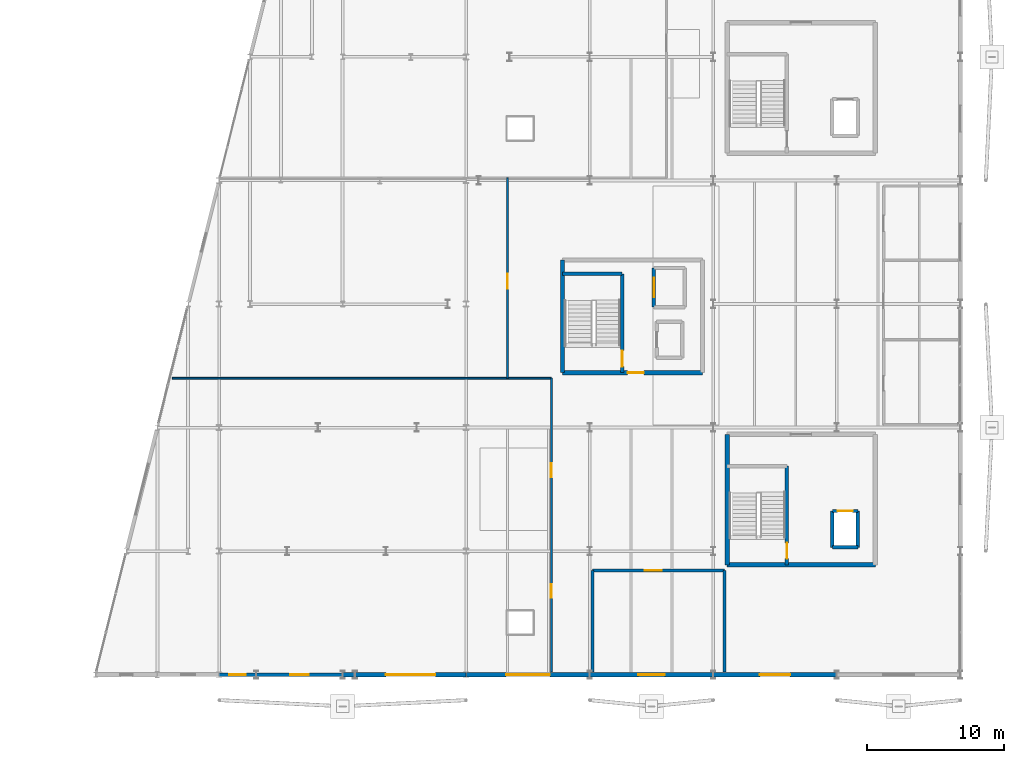
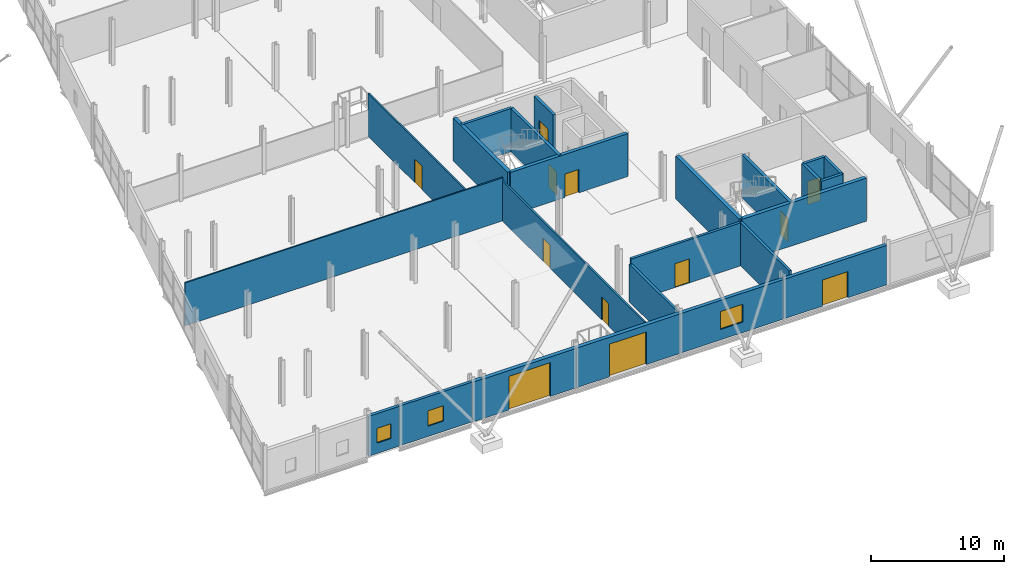
# One storey, part 123 of 140: 25 walls, 12 doors, 3 windows, 15 openings.
"""IFC4 building model written with IfcOpenShell, lengths in metres."""

from ifc_helpers import new_model, si_unit, direction, frame, frame_2d, origin, place, context, subcontext, project, spatial, rectangle, extrude, material, layer, layer_set, type_object, element, fill, save


model = new_model("IFC4")

# Units and contexts
model_context = context("Model", 3, precision=1e-05, world=origin(), true_north=direction((0.0, 1.0)))
body_context = subcontext(model_context, "Body", "Model", "MODEL_VIEW")
ifc_project = project(units=[si_unit("LENGTHUNIT", "METRE"), si_unit("AREAUNIT", "SQUARE_METRE"), si_unit("VOLUMEUNIT", "CUBIC_METRE"), si_unit("PLANEANGLEUNIT", "RADIAN"), si_unit("MASSUNIT", "GRAM", prefix="KILO")], contexts=[model_context])

# Site, building, storey
site_placement = place(None, origin())
site = spatial("IfcSite", under=ifc_project, at=site_placement, CompositionType="ELEMENT")
building_placement = place(site_placement, origin())
building = spatial("IfcBuilding", under=site, at=building_placement, Name="Deido Ridge Mobility Hub", CompositionType="ELEMENT")
storey_placement = place(building_placement, origin())
storey = spatial("IfcBuildingStorey", under=building, at=storey_placement, Name="L00", CompositionType="ELEMENT", Elevation=0.0)

# Wall, opening, window
ifc_material_1 = material(Name="Concrete blockwork masonry", Category="masonry")
ifc_layer_1 = layer(ifc_material_1, 0.2451171875, Name="Concrete blockwork masonry")
ifc_layer_set_1 = layer_set([ifc_layer_1], Name="Concrete blockwork masonry")
wall_type_1 = type_object("IfcWallType", Name="WL-EXT-BLK-245", PredefinedType="STANDARD", material=ifc_layer_set_1)
wall_1_placement = place(storey_placement, frame((128.707763671875, 0.0, 0.0), z_axis=(0.0, 0.0, 1.0), x_axis=(1.0, 0.0, 0.0)))
wall_1 = element("IfcWall", 1, at=wall_1_placement, inside=storey, type_object=wall_type_1, Name="Exterior wall EW4", PredefinedType="STANDARD", context=body_context, shape_type="SweptSolid", body=[
    extrude(rectangle(XDim=6.284423828125, YDim=0.2451171875, at=frame_2d((3.14208984375, 0.0))), origin(), (0.0, 0.0, 1.0), 3.655029296875),
])
opening_1_placement = place(wall_1_placement, frame((2.46728515625, 0.0, 0.949951171875)))
opening_1 = element("IfcOpeningElement", 2, at=opening_1_placement, cuts=wall_1, Name="Opening W4", PredefinedType="OPENING", context=body_context, shape_type="SweptSolid", body=[
    extrude(rectangle(XDim=1.35009765625, YDim=1.39990234375, at=frame_2d((0.675048828125, 0.699951171875))), frame((0.0, 0.132568359375, 0.0), z_axis=(0.0, -1.0, 0.0), x_axis=(1.0, 0.0, 0.0)), (0.0, 0.0, 1.0), 0.26513671875),
])
ifc_material_2 = material(Name="Laminated solar-control low-E glass", Category="glass")
window_type_1 = type_object("IfcWindowType", Name="WN-ALU-1350X1400", PartitioningType="SINGLE_PANEL", PredefinedType="WINDOW", material=ifc_material_2)
window_1_placement = place(opening_1_placement, origin())
window_1 = element("IfcWindow", 3, at=window_1_placement, inside=storey, type_object=window_type_1, Name="Exterior window W4", OverallHeight=1.39990234375, OverallWidth=1.35009765625, PartitioningType="SINGLE_PANEL", PredefinedType="WINDOW", context=body_context, shape_type="SweptSolid", body=[
    extrude(rectangle(XDim=1.35009765625, YDim=1.39990234375, at=frame_2d((0.675048828125, 0.699951171875))), frame((0.0, 0.030029296875, 0.0), z_axis=(0.0, -1.0, 0.0), x_axis=(1.0, 0.0, 0.0)), (0.0, 0.0, 1.0), 0.06005859375),
])
fill(opening_1, window_1)

ifc_layer_2 = layer(ifc_material_1, 0.264892578125, Name="Concrete blockwork masonry")
ifc_layer_set_2 = layer_set([ifc_layer_2], Name="Concrete blockwork masonry")
wall_type_2 = type_object("IfcWallType", Name="WL-EXT-BLK-265", PredefinedType="STANDARD", material=ifc_layer_set_2)
wall_2_placement = place(storey_placement, frame((126.0087890625, 0.0, 0.0), z_axis=(0.0, 0.0, 1.0), x_axis=(1.0, 0.0, 0.0)))
wall_2 = element("IfcWall", 4, at=wall_2_placement, inside=storey, type_object=wall_type_2, Name="Exterior wall EW3", PredefinedType="STANDARD", context=body_context, shape_type="SweptSolid", body=[
    extrude(rectangle(XDim=2.68359375, YDim=0.264892578125, at=frame_2d((1.341796875, 0.0))), origin(), (0.0, 0.0, 1.0), 3.655029296875),
])
opening_2_placement = place(wall_2_placement, frame((0.74169921875, 0.0, 0.949951171875)))
opening_2 = element("IfcOpeningElement", 5, at=opening_2_placement, cuts=wall_2, Name="Opening W3", PredefinedType="OPENING", context=body_context, shape_type="SweptSolid", body=[
    extrude(rectangle(XDim=1.199951171875, YDim=1.35009765625, at=frame_2d((0.60009765625, 0.675048828125))), frame((0.0, 0.142578125, 0.0), z_axis=(0.0, -1.0, 0.0), x_axis=(1.0, 0.0, 0.0)), (0.0, 0.0, 1.0), 0.284912109375),
])
window_type_2 = type_object("IfcWindowType", Name="WN-ALU-1200X1350", PartitioningType="SINGLE_PANEL", PredefinedType="WINDOW", material=ifc_material_2)
window_2_placement = place(opening_2_placement, origin())
window_2 = element("IfcWindow", 6, at=window_2_placement, inside=storey, type_object=window_type_2, Name="Exterior window W3", OverallHeight=1.35009765625, OverallWidth=1.199951171875, PartitioningType="SINGLE_PANEL", PredefinedType="WINDOW", context=body_context, shape_type="SweptSolid", body=[
    extrude(rectangle(XDim=1.199951171875, YDim=1.35009765625, at=frame_2d((0.60009765625, 0.675048828125))), frame((0.0, 0.030029296875, 0.0), z_axis=(0.0, -1.0, 0.0), x_axis=(1.0, 0.0, 0.0)), (0.0, 0.0, 1.0), 0.06005859375),
])
fill(opening_2, window_2)

ifc_material_3 = material(Name="Fired clay brick masonry", Category="masonry")
ifc_layer_3 = layer(ifc_material_3, 0.31005859375, Name="Fired clay brick masonry")
ifc_layer_set_3 = layer_set([ifc_layer_3], Name="Fired clay brick masonry")
wall_type_3 = type_object("IfcWallType", Name="WL-EXT-BRK-310", PredefinedType="STANDARD", material=ifc_layer_set_3)
wall_3_placement = place(storey_placement, frame((153.0078125, 0.0, 0.0), z_axis=(0.0, 0.0, 1.0), x_axis=(1.0, 0.0, 0.0)))
wall_3 = element("IfcWall", 7, at=wall_3_placement, inside=storey, type_object=wall_type_3, Name="Exterior wall EW1", PredefinedType="STANDARD", context=body_context, shape_type="SweptSolid", body=[
    extrude(rectangle(XDim=8.984375, YDim=0.31005859375, at=frame_2d((4.4921875, 0.0))), origin(), (0.0, 0.0, 1.0), 3.625),
])
opening_3_placement = place(wall_3_placement, frame((3.517333984375, 0.0, 0.949951171875)))
opening_3 = element("IfcOpeningElement", 8, at=opening_3_placement, cuts=wall_3, Name="Opening W8", PredefinedType="OPENING", context=body_context, shape_type="SweptSolid", body=[
    extrude(rectangle(XDim=1.949951171875, YDim=1.64990234375, at=frame_2d((0.97509765625, 0.824951171875))), frame((0.0, 0.1650390625, 0.0), z_axis=(0.0, -1.0, 0.0), x_axis=(1.0, 0.0, 0.0)), (0.0, 0.0, 1.0), 0.330078125),
])
window_type_3 = type_object("IfcWindowType", Name="WN-ALU-1950X1650", PartitioningType="DOUBLE_PANEL_VERTICAL", PredefinedType="WINDOW", material=ifc_material_2)
window_3_placement = place(opening_3_placement, origin())
window_3 = element("IfcWindow", 9, at=window_3_placement, inside=storey, type_object=window_type_3, Name="Exterior window W8", OverallHeight=1.64990234375, OverallWidth=1.949951171875, PartitioningType="SINGLE_PANEL", PredefinedType="WINDOW", context=body_context, shape_type="SweptSolid", body=[
    extrude(rectangle(XDim=1.949951171875, YDim=1.64990234375, at=frame_2d((0.97509765625, 0.824951171875))), frame((0.0, 0.030029296875, 0.0), z_axis=(0.0, -1.0, 0.0), x_axis=(1.0, 0.0, 0.0)), (0.0, 0.0, 1.0), 0.06005859375),
])
fill(opening_3, window_3)

# Wall, opening, door
wall_4_placement = place(storey_placement, frame((162.0078125, 0.0, 0.0), z_axis=(0.0, 0.0, 1.0), x_axis=(1.0, 0.0, 0.0)))
wall_4 = element("IfcWall", 10, at=wall_4_placement, inside=storey, type_object=wall_type_3, Name="Exterior wall EW1", PredefinedType="STANDARD", context=body_context, shape_type="SweptSolid", body=[
    extrude(rectangle(XDim=8.984375, YDim=0.31005859375, at=frame_2d((4.4921875, 0.0))), origin(), (0.0, 0.0, 1.0), 3.625),
])
opening_4_placement = place(wall_4_placement, frame((3.392333984375, 0.0, 0.0)))
opening_4 = element("IfcOpeningElement", 11, at=opening_4_placement, cuts=wall_4, Name="Opening E7", PredefinedType="OPENING", context=body_context, shape_type="SweptSolid", body=[
    extrude(rectangle(XDim=2.199951171875, YDim=2.39990234375, at=frame_2d((1.10009765625, 1.199951171875))), frame((0.0, 0.1650390625, 0.0), z_axis=(0.0, -1.0, 0.0), x_axis=(1.0, 0.0, 0.0)), (0.0, 0.0, 1.0), 0.330078125),
])
ifc_material_4 = material(Name="Anodised aluminium EN AW-6063 T6", Category="aluminium")
door_type_1 = type_object("IfcDoorType", Name="DR-EXT-2200X2400", OperationType="DOUBLE_DOOR_SINGLE_SWING", PredefinedType="DOOR", material=ifc_material_4)
door_1_placement = place(opening_4_placement, frame((2.199951171875, 0.0, 0.0), z_axis=(0.0, 0.0, 1.0), x_axis=(-1.0, 0.0, 0.0)))
door_1 = element("IfcDoor", 12, at=door_1_placement, inside=storey, type_object=door_type_1, Name="DR-E0016 Final exit door E7", OperationType="DOUBLE_DOOR_SINGLE_SWING", OverallHeight=2.39990234375, OverallWidth=2.199951171875, PredefinedType="DOOR", context=body_context, shape_type="SweptSolid", body=[
    extrude(rectangle(XDim=2.199951171875, YDim=2.39990234375, at=frame_2d((1.10009765625, 1.199951171875))), frame((0.0, 0.02490234375, 0.0), z_axis=(0.0, -1.0, 0.0), x_axis=(1.0, 0.0, 0.0)), (0.0, 0.0, 1.0), 0.050048828125),
])
fill(opening_4, door_1)

# Wall
ifc_material_5 = material(Name="Concrete C35/45", Category="concrete")
ifc_layer_4 = layer(ifc_material_5, 0.340087890625, Name="Concrete C35/45")
ifc_layer_set_4 = layer_set([ifc_layer_4], Name="Concrete C35/45")
wall_type_4 = type_object("IfcWallType", Name="WL-EXT-RC-340", PredefinedType="STANDARD", material=ifc_layer_set_4)
wall_5_placement = place(storey_placement, frame((135.0078125, 0.0, 0.0), z_axis=(0.0, 0.0, 1.0), x_axis=(1.0, 0.0, 0.0)))
element("IfcWall", 13, at=wall_5_placement, inside=storey, type_object=wall_type_4, Name="Exterior wall EW5", PredefinedType="STANDARD", context=body_context, shape_type="SweptSolid", body=[
    extrude(rectangle(XDim=0.884521484375, YDim=0.340087890625, at=frame_2d((0.4423828125, 0.0))), origin(), (0.0, 0.0, 1.0), 3.655029296875),
])

# Wall, opening, door
wall_6_placement = place(storey_placement, frame((135.90771484375, 0.0, 0.0), z_axis=(0.0, 0.0, 1.0), x_axis=(1.0, 0.0, 0.0)))
wall_6 = element("IfcWall", 14, at=wall_6_placement, inside=storey, type_object=wall_type_4, Name="Exterior wall EW5", PredefinedType="STANDARD", context=body_context, shape_type="SweptSolid", body=[
    extrude(rectangle(XDim=8.08349609375, YDim=0.340087890625, at=frame_2d((4.041748046875, 0.0))), origin(), (0.0, 0.0, 1.0), 3.625),
])
opening_5_placement = place(wall_6_placement, frame((2.24169921875, 0.0, 0.0)))
opening_5 = element("IfcOpeningElement", 15, at=opening_5_placement, cuts=wall_6, Name="Opening WD1", PredefinedType="OPENING", context=body_context, shape_type="SweptSolid", body=[
    extrude(rectangle(XDim=3.60009765625, YDim=3.10009765625, at=frame_2d((1.800048828125, 1.550048828125))), frame((0.0, 0.18017578125, 0.0), z_axis=(0.0, -1.0, 0.0), x_axis=(1.0, 0.0, 0.0)), (0.0, 0.0, 1.0), 0.360107421875),
])
ifc_material_6 = material(Name="Galvanised steel work", Category="steel")
door_type_2 = type_object("IfcDoorType", Name="DR-WKS-3600X3100", OperationType="ROLLINGUP", PredefinedType="USERDEFINED", material=ifc_material_6)
door_2_placement = place(opening_5_placement, frame((3.60009765625, 0.0, 0.0), z_axis=(0.0, 0.0, 1.0), x_axis=(-1.0, 0.0, 0.0)))
door_2 = element("IfcDoor", 16, at=door_2_placement, inside=storey, type_object=door_type_2, Name="DR-E0014 Bus workshop bay shutter WD1", ObjectType="VEHICLE SHUTTER", OperationType="ROLLINGUP", OverallHeight=3.10009765625, OverallWidth=3.60009765625, PredefinedType="USERDEFINED", context=body_context, shape_type="SweptSolid", body=[
    extrude(rectangle(XDim=3.60009765625, YDim=3.10009765625, at=frame_2d((1.800048828125, 1.550048828125))), frame((0.0, 0.02490234375, 0.0), z_axis=(0.0, -1.0, 0.0), x_axis=(1.0, 0.0, 0.0)), (0.0, 0.0, 1.0), 0.050048828125),
])
fill(opening_5, door_2)

wall_7_placement = place(storey_placement, frame((144.0087890625, 0.0, 0.0), z_axis=(0.0, 0.0, 1.0), x_axis=(1.0, 0.0, 0.0)))
wall_7 = element("IfcWall", 17, at=wall_7_placement, inside=storey, type_object=wall_type_4, Name="Exterior wall EW5", PredefinedType="STANDARD", context=body_context, shape_type="SweptSolid", body=[
    extrude(rectangle(XDim=8.9833984375, YDim=0.340087890625, at=frame_2d((4.49169921875, 0.0))), origin(), (0.0, 0.0, 1.0), 3.625),
])
opening_6_placement = place(wall_7_placement, frame((2.891845703125, 0.0, 0.0)))
opening_6 = element("IfcOpeningElement", 18, at=opening_6_placement, cuts=wall_7, Name="Opening WD2", PredefinedType="OPENING", context=body_context, shape_type="SweptSolid", body=[
    extrude(rectangle(XDim=3.199951171875, YDim=3.0, at=frame_2d((1.60009765625, 1.5))), frame((0.0, 0.18017578125, 0.0), z_axis=(0.0, -1.0, 0.0), x_axis=(1.0, 0.0, 0.0)), (0.0, 0.0, 1.0), 0.360107421875),
])
door_type_3 = type_object("IfcDoorType", Name="DR-WKS-3200X3000", OperationType="ROLLINGUP", PredefinedType="USERDEFINED", material=ifc_material_6)
door_3_placement = place(opening_6_placement, frame((3.199951171875, 0.0, 0.0), z_axis=(0.0, 0.0, 1.0), x_axis=(-1.0, 0.0, 0.0)))
door_3 = element("IfcDoor", 19, at=door_3_placement, inside=storey, type_object=door_type_3, Name="DR-E0015 Diagnostic pit bay shutter WD2", ObjectType="VEHICLE SHUTTER", OperationType="ROLLINGUP", OverallHeight=3.0, OverallWidth=3.199951171875, PredefinedType="USERDEFINED", context=body_context, shape_type="SweptSolid", body=[
    extrude(rectangle(XDim=3.199951171875, YDim=3.0, at=frame_2d((1.60009765625, 1.5))), frame((0.0, 0.02490234375, 0.0), z_axis=(0.0, -1.0, 0.0), x_axis=(1.0, 0.0, 0.0)), (0.0, 0.0, 1.0), 0.050048828125),
])
fill(opening_6, door_3)

# Wall
ifc_layer_5 = layer(ifc_material_1, 0.1201171875, Name="Concrete blockwork masonry")
ifc_layer_set_5 = layer_set([ifc_layer_5], Name="Concrete blockwork masonry")
wall_type_5 = type_object("IfcWallType", Name="WL-PRT-BLK-120", PredefinedType="PARTITIONING", material=ifc_layer_set_5)
wall_8_placement = place(storey_placement, frame((122.60009765625, 21.60009765625, 0.0), z_axis=(0.0, 0.0, 1.0), x_axis=(1.0, 0.0, 0.0)))
element("IfcWall", 20, at=wall_8_placement, inside=storey, type_object=wall_type_5, Name="V6 south-central cross wall (L00)", PredefinedType="PARTITIONING", context=body_context, shape_type="SweptSolid", body=[
    extrude(rectangle(XDim=27.599853515625, YDim=0.1201171875, at=frame_2d((13.7998046875, 0.0))), origin(), (0.0, 0.0, 1.0), 3.949951171875),
])

# Wall, opening, door
ifc_layer_6 = layer(ifc_material_1, 0.1298828125, Name="Concrete blockwork masonry")
ifc_layer_set_6 = layer_set([ifc_layer_6], Name="Concrete blockwork masonry")
wall_type_6 = type_object("IfcWallType", Name="WL-PRT-BLK-130", PredefinedType="PARTITIONING", material=ifc_layer_set_6)
wall_9_placement = place(storey_placement, frame((147.0, 21.60009765625, 0.0), z_axis=(0.0, 0.0, 1.0), x_axis=(0.0, 1.0, 0.0)))
wall_9 = element("IfcWall", 21, at=wall_9_placement, inside=storey, type_object=wall_type_6, Name="V6 central room wall (L00)", PredefinedType="PARTITIONING", context=body_context, shape_type="SweptSolid", body=[
    extrude(rectangle(XDim=14.599853515625, YDim=0.1298828125, at=frame_2d((7.2998046875, 0.0))), origin(), (0.0, 0.0, 1.0), 3.949951171875),
])
opening_7_placement = place(wall_9_placement, frame((6.5, 0.0, 0.0)))
opening_7 = element("IfcOpeningElement", 22, at=opening_7_placement, cuts=wall_9, Name="Opening DR-L00-146", PredefinedType="OPENING", context=body_context, shape_type="SweptSolid", body=[
    extrude(rectangle(XDim=1.1201171875, YDim=2.14990234375, at=frame_2d((0.56005859375, 1.074951171875))), frame((0.0, 0.074951171875, 0.0), z_axis=(0.0, -1.0, 0.0), x_axis=(1.0, 0.0, 0.0)), (0.0, 0.0, 1.0), 0.14990234375),
])
ifc_material_7 = material(Name="Treated tropical hardwood timber D40", Category="wood")
door_type_4 = type_object("IfcDoorType", Name="DR-INT-1120X2150", OperationType="NOTDEFINED", PredefinedType="DOOR", material=ifc_material_7)
door_4_placement = place(opening_7_placement, origin())
door_4 = element("IfcDoor", 23, at=door_4_placement, inside=storey, type_object=door_type_4, Name="DR-I0146 V6 central room door (L00)", OperationType="SINGLE_SWING_LEFT", OverallHeight=2.14990234375, OverallWidth=1.1201171875, PredefinedType="DOOR", context=body_context, shape_type="SweptSolid", body=[
    extrude(rectangle(XDim=1.1201171875, YDim=2.14990234375, at=frame_2d((0.56005859375, 1.074951171875))), frame((0.0, 0.02490234375, 0.0), z_axis=(0.0, -1.0, 0.0), x_axis=(1.0, 0.0, 0.0)), (0.0, 0.0, 1.0), 0.050048828125),
])
fill(opening_7, door_4)

# Wall, openings, doors
ifc_layer_7 = layer(ifc_material_1, 0.14990234375, Name="Concrete blockwork masonry")
ifc_layer_set_7 = layer_set([ifc_layer_7], Name="Concrete blockwork masonry")
wall_type_7 = type_object("IfcWallType", Name="WL-PRT-BLK-150", PredefinedType="PARTITIONING", material=ifc_layer_set_7)
wall_10_placement = place(storey_placement, frame((150.199951171875, 0.199951171875, 0.0), z_axis=(0.0, 0.0, 1.0), x_axis=(0.0, 1.0, 0.0)))
wall_10 = element("IfcWall", 24, at=wall_10_placement, inside=storey, type_object=wall_type_7, Name="V6 south-west suite wall (L00)", PredefinedType="PARTITIONING", context=body_context, shape_type="SweptSolid", body=[
    extrude(rectangle(XDim=21.400146484375, YDim=0.14990234375, at=frame_2d((10.7001953125, 0.0))), origin(), (0.0, 0.0, 1.0), 3.655029296875),
])
opening_8_placement = place(wall_10_placement, frame((5.39990234375, 0.0, 0.0)))
opening_8 = element("IfcOpeningElement", 25, at=opening_8_placement, cuts=wall_10, Name="Opening DR-L00-144", PredefinedType="OPENING", context=body_context, shape_type="SweptSolid", body=[
    extrude(rectangle(XDim=1.0, YDim=2.10009765625, at=frame_2d((0.5, 1.050048828125))), frame((0.0, 0.0849609375, 0.0), z_axis=(0.0, -1.0, 0.0), x_axis=(1.0, 0.0, 0.0)), (0.0, 0.0, 1.0), 0.169921875),
])
opening_9_placement = place(wall_10_placement, frame((14.199951171875, 0.0, 0.0)))
opening_9 = element("IfcOpeningElement", 26, at=opening_9_placement, cuts=wall_10, Name="Opening DR-L00-145", PredefinedType="OPENING", context=body_context, shape_type="SweptSolid", body=[
    extrude(rectangle(XDim=1.02001953125, YDim=2.1201171875, at=frame_2d((0.510009765625, 1.06005859375))), frame((0.0, 0.0849609375, 0.0), z_axis=(0.0, -1.0, 0.0), x_axis=(1.0, 0.0, 0.0)), (0.0, 0.0, 1.0), 0.169921875),
])
door_type_5 = type_object("IfcDoorType", Name="DR-INT-1000X2100", OperationType="NOTDEFINED", PredefinedType="DOOR", material=ifc_material_7)
door_5_placement = place(opening_8_placement, origin())
door_5 = element("IfcDoor", 27, at=door_5_placement, inside=storey, type_object=door_type_5, Name="DR-I0144 V6 south-west suite door 1 (L00)", OperationType="SINGLE_SWING_LEFT", OverallHeight=2.10009765625, OverallWidth=1.0, PredefinedType="DOOR", context=body_context, shape_type="SweptSolid", body=[
    extrude(rectangle(XDim=1.0, YDim=2.10009765625, at=frame_2d((0.5, 1.050048828125))), frame((0.0, 0.02490234375, 0.0), z_axis=(0.0, -1.0, 0.0), x_axis=(1.0, 0.0, 0.0)), (0.0, 0.0, 1.0), 0.050048828125),
])
fill(opening_8, door_5)
door_type_6 = type_object("IfcDoorType", Name="DR-INT-1020X2120", OperationType="NOTDEFINED", PredefinedType="DOOR", material=ifc_material_7)
door_6_placement = place(opening_9_placement, origin())
door_6 = element("IfcDoor", 28, at=door_6_placement, inside=storey, type_object=door_type_6, Name="DR-I0145 V6 south-west suite door 2 (L00)", OperationType="SINGLE_SWING_RIGHT", OverallHeight=2.1201171875, OverallWidth=1.02001953125, PredefinedType="DOOR", context=body_context, shape_type="SweptSolid", body=[
    extrude(rectangle(XDim=1.02001953125, YDim=2.1201171875, at=frame_2d((0.510009765625, 1.06005859375))), frame((0.0, 0.02490234375, 0.0), z_axis=(0.0, -1.0, 0.0), x_axis=(1.0, 0.0, 0.0)), (0.0, 0.0, 1.0), 0.050048828125),
])
fill(opening_9, door_6)

# Wall, opening, door
ifc_layer_8 = layer(ifc_material_1, 0.219970703125, Name="Concrete blockwork masonry")
ifc_layer_set_8 = layer_set([ifc_layer_8], Name="Concrete blockwork masonry")
wall_type_8 = type_object("IfcWallType", Name="WL-PRT-FIR-220", PredefinedType="PARTITIONING", material=ifc_layer_set_8)
wall_11_placement = place(storey_placement, frame((153.199951171875, 7.60009765625, 0.0), z_axis=(0.0, 0.0, 1.0), x_axis=(1.0, 0.0, 0.0)))
wall_11 = element("IfcWall", 29, at=wall_11_placement, inside=storey, type_object=wall_type_8, Name="L00 south room corridor wall", PredefinedType="PARTITIONING", context=body_context, shape_type="SweptSolid", body=[
    extrude(rectangle(XDim=9.60009765625, YDim=0.219970703125, at=frame_2d((4.800048828125, 0.0))), origin(), (0.0, 0.0, 1.0), 3.949951171875),
])
opening_10_placement = place(wall_11_placement, frame((3.800048828125, 0.0, 0.0)))
opening_10 = element("IfcOpeningElement", 30, at=opening_10_placement, cuts=wall_11, Name="Opening FCD1", PredefinedType="OPENING", context=body_context, shape_type="SweptSolid", body=[
    extrude(rectangle(XDim=1.25, YDim=2.199951171875, at=frame_2d((0.625, 1.10009765625))), frame((0.0, 0.1201171875, 0.0), z_axis=(0.0, -1.0, 0.0), x_axis=(1.0, 0.0, 0.0)), (0.0, 0.0, 1.0), 0.239990234375),
])
door_type_7 = type_object("IfcDoorType", Name="DR-FD120-1250X2200", OperationType="NOTDEFINED", PredefinedType="DOOR", material=ifc_material_6)
door_7_placement = place(opening_10_placement, origin())
door_7 = element("IfcDoor", 31, at=door_7_placement, inside=storey, type_object=door_type_7, Name="DR-I0140 Fire Control Room door", OperationType="SINGLE_SWING_LEFT", OverallHeight=2.199951171875, OverallWidth=1.25, PredefinedType="DOOR", context=body_context, shape_type="SweptSolid", body=[
    extrude(rectangle(XDim=1.25, YDim=2.199951171875, at=frame_2d((0.625, 1.10009765625))), frame((0.0, 0.02490234375, 0.0), z_axis=(0.0, -1.0, 0.0), x_axis=(1.0, 0.0, 0.0)), (0.0, 0.0, 1.0), 0.050048828125),
])
fill(opening_10, door_7)

# Walls
wall_12_placement = place(storey_placement, frame((153.199951171875, 0.199951171875, 0.0), z_axis=(0.0, 0.0, 1.0), x_axis=(0.0, 1.0, 0.0)))
element("IfcWall", 32, at=wall_12_placement, inside=storey, type_object=wall_type_8, Name="L00 south room west wall", PredefinedType="PARTITIONING", context=body_context, shape_type="SweptSolid", body=[
    extrude(rectangle(XDim=7.400146484375, YDim=0.219970703125, at=frame_2d((3.7001953125, 0.0))), origin(), (0.0, 0.0, 1.0), 3.47509765625),
])
wall_13_placement = place(storey_placement, frame((162.800048828125, 0.199951171875, 0.0), z_axis=(0.0, 0.0, 1.0), x_axis=(0.0, 1.0, 0.0)))
element("IfcWall", 33, at=wall_13_placement, inside=storey, type_object=wall_type_8, Name="L00 south room east wall", PredefinedType="PARTITIONING", context=body_context, shape_type="SweptSolid", body=[
    extrude(rectangle(XDim=7.400146484375, YDim=0.219970703125, at=frame_2d((3.7001953125, 0.0))), origin(), (0.0, 0.0, 1.0), 3.949951171875),
])

# Wall, opening, door
ifc_material_8 = material(Name="Concrete C40/50", Category="concrete")
ifc_layer_9 = layer(ifc_material_8, 0.25, Name="Concrete C40/50")
ifc_layer_set_9 = layer_set([ifc_layer_9], Name="Concrete C40/50")
wall_type_9 = type_object("IfcWallType", Name="WL-SHR-RC-250", PredefinedType="SHEAR", material=ifc_layer_set_9)
wall_14_placement = place(storey_placement, frame((167.360107421875, 8.0, 0.0), z_axis=(0.0, 0.0, 1.0), x_axis=(0.0, 1.0, 0.0)))
wall_14 = element("IfcWall", 34, at=wall_14_placement, inside=storey, type_object=wall_type_9, Name="C1 stair shaft east wall", PredefinedType="SHEAR", context=body_context, shape_type="SweptSolid", body=[
    extrude(rectangle(XDim=7.199951171875, YDim=0.25, at=frame_2d((3.60009765625, 0.0))), origin(), (0.0, 0.0, 1.0), 3.949951171875),
])
opening_11_placement = place(wall_14_placement, frame((0.449951171875, 0.0, 0.0)))
opening_11 = element("IfcOpeningElement", 35, at=opening_11_placement, cuts=wall_14, Name="Opening FD-C1-L00", PredefinedType="OPENING", context=body_context, shape_type="SweptSolid", body=[
    extrude(rectangle(XDim=1.14990234375, YDim=2.14990234375, at=frame_2d((0.574951171875, 1.074951171875))), frame((0.0, 0.135009765625, 0.0), z_axis=(0.0, -1.0, 0.0), x_axis=(1.0, 0.0, 0.0)), (0.0, 0.0, 1.0), 0.27001953125),
])
door_type_8 = type_object("IfcDoorType", Name="DR-FD60-1150X2150", OperationType="NOTDEFINED", PredefinedType="DOOR", material=ifc_material_6)
door_8_placement = place(opening_11_placement, origin())
door_8 = element("IfcDoor", 36, at=door_8_placement, inside=storey, type_object=door_type_8, Name="DR-I0004 C1 protected stair door (L00)", OperationType="SINGLE_SWING_RIGHT", OverallHeight=2.14990234375, OverallWidth=1.14990234375, PredefinedType="DOOR", context=body_context, shape_type="SweptSolid", body=[
    extrude(rectangle(XDim=1.14990234375, YDim=2.14990234375, at=frame_2d((0.574951171875, 1.074951171875))), frame((0.0, 0.02490234375, 0.0), z_axis=(0.0, -1.0, 0.0), x_axis=(1.0, 0.0, 0.0)), (0.0, 0.0, 1.0), 0.050048828125),
])
fill(opening_11, door_8)

# Walls
wall_15_placement = place(storey_placement, frame((170.675048828125, 9.27490234375, 0.0), z_axis=(0.0, 0.0, 1.0), x_axis=(1.0, 0.0, 0.0)))
element("IfcWall", 37, at=wall_15_placement, inside=storey, type_object=wall_type_9, Name="Lift FL1 rear shaft wall", PredefinedType="SHEAR", context=body_context, shape_type="SweptSolid", body=[
    extrude(rectangle(XDim=1.849853515625, YDim=0.25, at=frame_2d((0.9248046875, 0.0))), origin(), (0.0, 0.0, 1.0), 3.949951171875),
])
for number, where, z_axis, x_axis, name in (
    (38, (170.675048828125, 9.27490234375, 0.0), (0.0, 0.0, 1.0), (0.0, 1.0, 0.0), "Lift FL1 west shaft wall"),
    (39, (172.52490234375, 9.27490234375, 0.0), (0.0, 0.0, 1.0), (0.0, 1.0, 0.0), "Lift FL1 east shaft wall"),
):
    element("IfcWall", number, at=place(storey_placement, frame(where, z_axis=z_axis, x_axis=x_axis)), inside=storey, type_object=wall_type_9, Name=name, PredefinedType="SHEAR", context=body_context, shape_type="SweptSolid", body=[
        extrude(rectangle(XDim=2.650146484375, YDim=0.25, at=frame_2d((1.3251953125, 0.0))), origin(), (0.0, 0.0, 1.0), 3.949951171875),
    ])

# Wall, opening, door
wall_16_placement = place(storey_placement, frame((170.675048828125, 11.925048828125, 0.0), z_axis=(0.0, 0.0, 1.0), x_axis=(1.0, 0.0, 0.0)))
wall_16 = element("IfcWall", 40, at=wall_16_placement, inside=storey, type_object=wall_type_9, Name="Lift FL1 landing wall", PredefinedType="SHEAR", context=body_context, shape_type="SweptSolid", body=[
    extrude(rectangle(XDim=1.849853515625, YDim=0.25, at=frame_2d((0.9248046875, 0.0))), origin(), (0.0, 0.0, 1.0), 3.949951171875),
])
opening_12_placement = place(wall_16_placement, frame((0.375, 0.0, 0.0)))
opening_12 = element("IfcOpeningElement", 41, at=opening_12_placement, cuts=wall_16, Name="Opening LD-FL1", PredefinedType="OPENING", context=body_context, shape_type="SweptSolid", body=[
    extrude(rectangle(XDim=1.10009765625, YDim=2.14990234375, at=frame_2d((0.550048828125, 1.074951171875))), frame((0.0, 0.135009765625, 0.0), z_axis=(0.0, -1.0, 0.0), x_axis=(1.0, 0.0, 0.0)), (0.0, 0.0, 1.0), 0.27001953125),
])
ifc_material_9 = material(Name="Stainless steel 316", Category="steel")
door_type_9 = type_object("IfcDoorType", Name="DR-LND-PAS-1100X2150", OperationType="DOUBLE_DOOR_SLIDING", PredefinedType="USERDEFINED", material=ifc_material_9)
door_9_placement = place(opening_12_placement, origin())
door_9 = element("IfcDoor", 42, at=door_9_placement, inside=storey, type_object=door_type_9, Name="DR-I0006 Lift FL1 sliding landing door (L00)", ObjectType="LANDING DOOR", OperationType="DOUBLE_DOOR_SLIDING", OverallHeight=2.14990234375, OverallWidth=1.10009765625, PredefinedType="USERDEFINED", context=body_context, shape_type="SweptSolid", body=[
    extrude(rectangle(XDim=1.10009765625, YDim=2.14990234375, at=frame_2d((0.550048828125, 1.074951171875))), frame((0.0, 0.02490234375, 0.0), z_axis=(0.0, -1.0, 0.0), x_axis=(1.0, 0.0, 0.0)), (0.0, 0.0, 1.0), 0.050048828125),
])
fill(opening_12, door_9)

wall_17_placement = place(storey_placement, frame((155.360107421875, 22.0, 0.0), z_axis=(0.0, 0.0, 1.0), x_axis=(0.0, 1.0, 0.0)))
wall_17 = element("IfcWall", 43, at=wall_17_placement, inside=storey, type_object=wall_type_9, Name="C3 stair shaft east wall", PredefinedType="SHEAR", context=body_context, shape_type="SweptSolid", body=[
    extrude(rectangle(XDim=7.199951171875, YDim=0.25, at=frame_2d((3.60009765625, 0.0))), origin(), (0.0, 0.0, 1.0), 3.949951171875),
])
opening_13_placement = place(wall_17_placement, frame((0.449951171875, 0.0, 0.0)))
opening_13 = element("IfcOpeningElement", 44, at=opening_13_placement, cuts=wall_17, Name="Opening FD-C3-L00", PredefinedType="OPENING", context=body_context, shape_type="SweptSolid", body=[
    extrude(rectangle(XDim=1.14990234375, YDim=2.14990234375, at=frame_2d((0.574951171875, 1.074951171875))), frame((0.0, 0.135009765625, 0.0), z_axis=(0.0, -1.0, 0.0), x_axis=(1.0, 0.0, 0.0)), (0.0, 0.0, 1.0), 0.27001953125),
])
door_10_placement = place(opening_13_placement, origin())
door_10 = element("IfcDoor", 45, at=door_10_placement, inside=storey, type_object=door_type_8, Name="DR-I0053 C3 protected stair door (L00)", OperationType="SINGLE_SWING_LEFT", OverallHeight=2.14990234375, OverallWidth=1.14990234375, PredefinedType="DOOR", context=body_context, shape_type="SweptSolid", body=[
    extrude(rectangle(XDim=1.14990234375, YDim=2.14990234375, at=frame_2d((0.574951171875, 1.074951171875))), frame((0.0, 0.02490234375, 0.0), z_axis=(0.0, -1.0, 0.0), x_axis=(1.0, 0.0, 0.0)), (0.0, 0.0, 1.0), 0.050048828125),
])
fill(opening_13, door_10)

# Wall
wall_18_placement = place(storey_placement, frame((151.0, 29.199951171875, 0.0), z_axis=(0.0, 0.0, 1.0), x_axis=(1.0, 0.0, 0.0)))
element("IfcWall", 46, at=wall_18_placement, inside=storey, type_object=wall_type_9, Name="C3 stair shaft north wall", PredefinedType="SHEAR", context=body_context, shape_type="SweptSolid", body=[
    extrude(rectangle(XDim=4.360107421875, YDim=0.25, at=frame_2d((2.18017578125, 0.0))), origin(), (0.0, 0.0, 1.0), 3.949951171875),
])

# Wall, opening, door
wall_19_placement = place(storey_placement, frame((157.675048828125, 26.77490234375, 0.0), z_axis=(0.0, 0.0, 1.0), x_axis=(0.0, 1.0, 0.0)))
wall_19 = element("IfcWall", 47, at=wall_19_placement, inside=storey, type_object=wall_type_9, Name="Lift GL1 landing wall", PredefinedType="SHEAR", context=body_context, shape_type="SweptSolid", body=[
    extrude(rectangle(XDim=2.85009765625, YDim=0.25, at=frame_2d((1.425048828125, 0.0))), origin(), (0.0, 0.0, 1.0), 3.949951171875),
])
opening_14_placement = place(wall_19_placement, frame((0.72509765625, 0.0, 0.0)))
opening_14 = element("IfcOpeningElement", 48, at=opening_14_placement, cuts=wall_19, Name="Opening LD-GL1", PredefinedType="OPENING", context=body_context, shape_type="SweptSolid", body=[
    extrude(rectangle(XDim=1.39990234375, YDim=2.199951171875, at=frame_2d((0.699951171875, 1.10009765625))), frame((0.0, 0.135009765625, 0.0), z_axis=(0.0, -1.0, 0.0), x_axis=(1.0, 0.0, 0.0)), (0.0, 0.0, 1.0), 0.27001953125),
])
door_type_10 = type_object("IfcDoorType", Name="DR-LND-GDS-1400X2200", OperationType="DOUBLE_DOOR_SLIDING", PredefinedType="USERDEFINED", material=ifc_material_9)
door_11_placement = place(opening_14_placement, origin())
door_11 = element("IfcDoor", 49, at=door_11_placement, inside=storey, type_object=door_type_10, Name="DR-I0056 Lift GL1 sliding landing door (L00)", ObjectType="LANDING DOOR", OperationType="DOUBLE_DOOR_SLIDING", OverallHeight=2.199951171875, OverallWidth=1.39990234375, PredefinedType="USERDEFINED", context=body_context, shape_type="SweptSolid", body=[
    extrude(rectangle(XDim=1.39990234375, YDim=2.199951171875, at=frame_2d((0.699951171875, 1.10009765625))), frame((0.0, 0.02490234375, 0.0), z_axis=(0.0, -1.0, 0.0), x_axis=(1.0, 0.0, 0.0)), (0.0, 0.0, 1.0), 0.050048828125),
])
fill(opening_14, door_11)

ifc_layer_10 = layer(ifc_material_8, 0.300048828125, Name="Concrete C40/50")
ifc_layer_set_10 = layer_set([ifc_layer_10], Name="Concrete C40/50")
wall_type_10 = type_object("IfcWallType", Name="WL-SHR-RC-300", PredefinedType="SHEAR", material=ifc_layer_set_10)
wall_20_placement = place(storey_placement, frame((151.0, 22.0, 0.0), z_axis=(0.0, 0.0, 1.0), x_axis=(1.0, 0.0, 0.0)))
wall_20 = element("IfcWall", 50, at=wall_20_placement, inside=storey, type_object=wall_type_10, Name="C3 south shear wall", PredefinedType="SHEAR", context=body_context, shape_type="SweptSolid", body=[
    extrude(rectangle(XDim=10.199951171875, YDim=0.300048828125, at=frame_2d((5.10009765625, 0.0))), origin(), (0.0, 0.0, 1.0), 3.949951171875),
])
opening_15_placement = place(wall_20_placement, frame((4.75, 0.0, 0.0)))
opening_15 = element("IfcOpeningElement", 51, at=opening_15_placement, cuts=wall_20, Name="Opening LD-C3-054", PredefinedType="OPENING", context=body_context, shape_type="SweptSolid", body=[
    extrude(rectangle(XDim=1.199951171875, YDim=2.14990234375, at=frame_2d((0.60009765625, 1.074951171875))), frame((0.0, 0.16015625, 0.0), z_axis=(0.0, -1.0, 0.0), x_axis=(1.0, 0.0, 0.0)), (0.0, 0.0, 1.0), 0.320068359375),
])
door_type_11 = type_object("IfcDoorType", Name="DR-FD60-1200X2150", OperationType="NOTDEFINED", PredefinedType="DOOR", material=ifc_material_6)
door_12_placement = place(opening_15_placement, origin())
door_12 = element("IfcDoor", 52, at=door_12_placement, inside=storey, type_object=door_type_11, Name="DR-I0054 C3 lift lobby door (L00)", OperationType="SINGLE_SWING_RIGHT", OverallHeight=2.14990234375, OverallWidth=1.199951171875, PredefinedType="DOOR", context=body_context, shape_type="SweptSolid", body=[
    extrude(rectangle(XDim=1.199951171875, YDim=2.14990234375, at=frame_2d((0.60009765625, 1.074951171875))), frame((0.0, 0.02490234375, 0.0), z_axis=(0.0, -1.0, 0.0), x_axis=(1.0, 0.0, 0.0)), (0.0, 0.0, 1.0), 0.050048828125),
])
fill(opening_15, door_12)

# Walls
wall_21_placement = place(storey_placement, frame((151.0, 30.199951171875, 0.0), z_axis=(0.0, 0.0, 1.0), x_axis=(0.0, -1.0, 0.0)))
element("IfcWall", 53, at=wall_21_placement, inside=storey, type_object=wall_type_10, Name="C3 west shear wall", PredefinedType="SHEAR", context=body_context, shape_type="SweptSolid", body=[
    extrude(rectangle(XDim=8.199951171875, YDim=0.300048828125, at=frame_2d((4.10009765625, 0.0))), origin(), (0.0, 0.0, 1.0), 3.949951171875),
])
ifc_layer_11 = layer(ifc_material_8, 0.324951171875, Name="Concrete C40/50")
ifc_layer_set_11 = layer_set([ifc_layer_11], Name="Concrete C40/50")
wall_type_11 = type_object("IfcWallType", Name="WL-SHR-RC-325", PredefinedType="SHEAR", material=ifc_layer_set_11)
wall_22_placement = place(storey_placement, frame((163.0, 8.0, 0.0), z_axis=(0.0, 0.0, 1.0), x_axis=(1.0, 0.0, 0.0)))
element("IfcWall", 54, at=wall_22_placement, inside=storey, type_object=wall_type_11, Name="C1 south shear wall", PredefinedType="SHEAR", context=body_context, shape_type="SweptSolid", body=[
    extrude(rectangle(XDim=10.800048828125, YDim=0.324951171875, at=frame_2d((5.39990234375, 0.0))), origin(), (0.0, 0.0, 1.0), 3.949951171875),
])
wall_23_placement = place(storey_placement, frame((163.0, 17.5, 0.0), z_axis=(0.0, 0.0, 1.0), x_axis=(0.0, -1.0, 0.0)))
element("IfcWall", 55, at=wall_23_placement, inside=storey, type_object=wall_type_11, Name="C1 west shear wall", PredefinedType="SHEAR", context=body_context, shape_type="SweptSolid", body=[
    extrude(rectangle(XDim=9.5, YDim=0.324951171875, at=frame_2d((4.75, 0.0))), origin(), (0.0, 0.0, 1.0), 3.949951171875),
])

save(model, "model.ifc")
